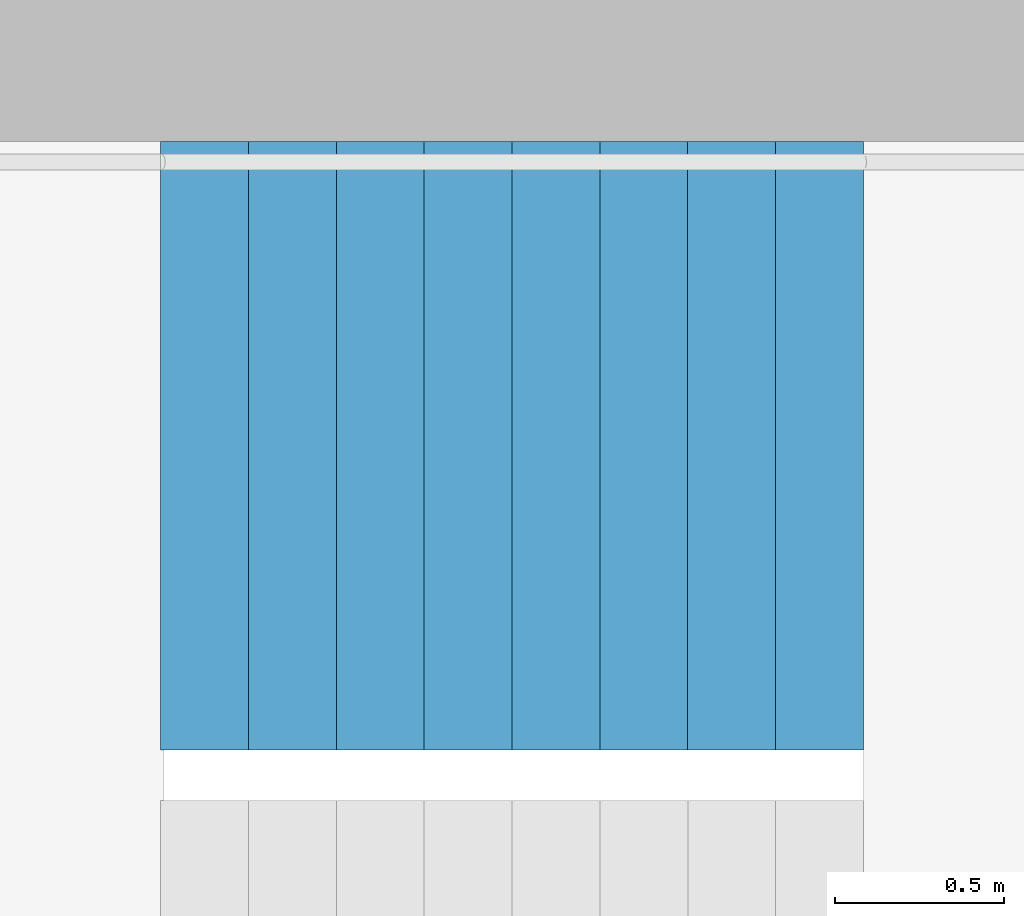
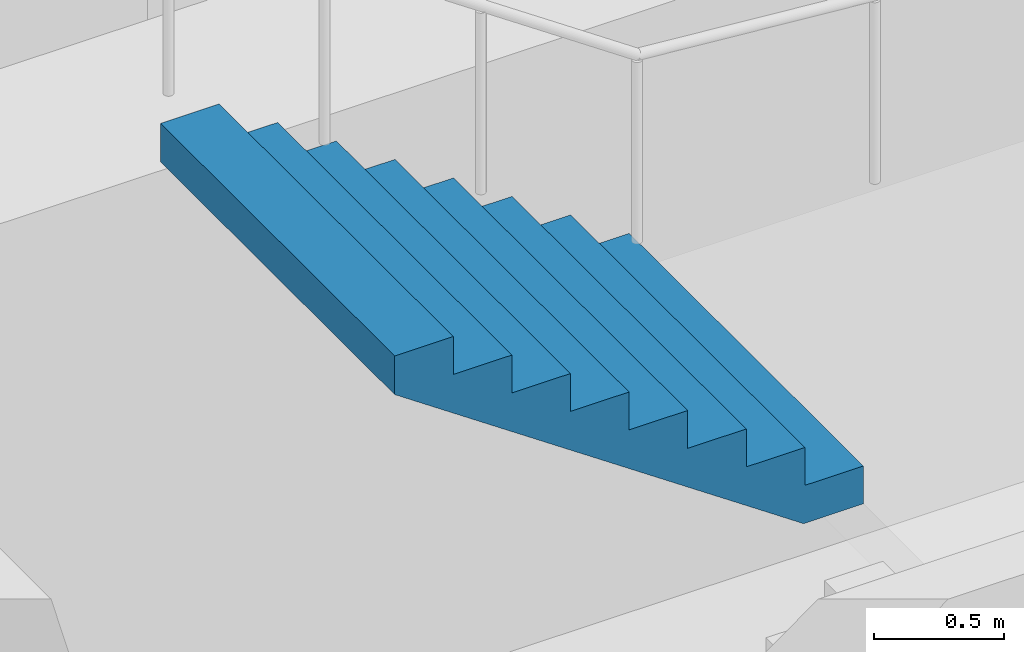
# One storey, part 22 of 33: 1 stair flight, 1 element without a shape of its own.
"""IFC4 building model written with IfcOpenShell, lengths in metres."""

from ifc_helpers import new_model, si_unit, direction, frame, origin, place, context, subcontext, project, spatial, triangles, material, type_object, element, aggregate, save


model = new_model("IFC4")

# Units and contexts
model_context = context("Model", 3, precision=1e-05, world=origin(), true_north=direction((0.0, 1.0)))
body_context = subcontext(model_context, "Body", "Model", "MODEL_VIEW")
ifc_project = project(units=[si_unit("LENGTHUNIT", "METRE"), si_unit("AREAUNIT", "SQUARE_METRE"), si_unit("VOLUMEUNIT", "CUBIC_METRE"), si_unit("PLANEANGLEUNIT", "RADIAN"), si_unit("MASSUNIT", "GRAM", prefix="KILO")], contexts=[model_context])

# Site, building, storey
site_placement = place(None, origin())
site = spatial("IfcSite", under=ifc_project, at=site_placement, CompositionType="ELEMENT")
building_placement = place(site_placement, origin())
building = spatial("IfcBuilding", under=site, at=building_placement, Name="Hakoniwa Tower and Hamabe Station Hall", CompositionType="ELEMENT")
storey_placement = place(building_placement, frame((0.0, 0.0, 81.800048828125)))
storey = spatial("IfcBuildingStorey", under=building, at=storey_placement, Name="L22", CompositionType="ELEMENT", Elevation=81.800048828125)

# Stair, stair flight
ifc_material_1 = material(Name="Concrete C40", Category="concrete")
stair_type = type_object("IfcStairType", Name="ESCAPE STAIR 1800", PredefinedType="HALF_TURN_STAIR", material=ifc_material_1)
stair_placement = place(storey_placement, origin())
stair = element("IfcStair", 1, at=stair_placement, inside=storey, type_object=stair_type, Name="Escape stair ST-1 L22", PredefinedType="HALF_TURN_STAIR")
ifc_material_2 = material(Name="Concrete C40", Category="concrete")
stair_flight_type = type_object("IfcStairFlightType", Name="STAIR FLIGHT 1800", PredefinedType="STRAIGHT", material=ifc_material_2)
stair_flight_placement = place(storey_placement, frame((-22.320068359375, 6.60009765625, 1.599853515625), z_axis=(0.0, 0.0, 1.0), x_axis=(-1.0, 0.0, 0.0)))
stair_flight = element("IfcStairFlight", 2, at=stair_flight_placement, type_object=stair_flight_type, Name="ST-1 flight 2", NumberOfRisers=9, NumberOfTreads=8, PredefinedType="STRAIGHT", RiserHeight=0.177777778, TreadLength=0.26, context=body_context, shape_type="Tessellation", body=[
    triangles([(0.0, 0.89990234375, 0.0), (0.260009765625, 0.89990234375, 0.0), (0.265625, 0.89990234375, 0.0), (0.52001953125, 0.89990234375, 0.174072265625), (0.780029296875, 0.89990234375, 0.351806640625), (1.0400390625, 0.89990234375, 0.529541015625), (1.300048828125, 0.89990234375, 0.707275390625), (1.56005859375, 0.89990234375, 0.885009765625), (1.820068359375, 0.89990234375, 1.062744140625), (2.080078125, 0.89990234375, 1.24072265625), (2.080078125, 0.89990234375, 1.422119140625), (1.820068359375, 0.89990234375, 1.422119140625), (1.820068359375, 0.89990234375, 1.244384765625), (1.56005859375, 0.89990234375, 1.244384765625), (1.56005859375, 0.89990234375, 1.066650390625), (1.300048828125, 0.89990234375, 1.066650390625), (1.300048828125, 0.89990234375, 0.888916015625), (1.0400390625, 0.89990234375, 0.888916015625), (1.0400390625, 0.89990234375, 0.711181640625), (0.780029296875, 0.89990234375, 0.711181640625), (0.780029296875, 0.89990234375, 0.533447265625), (0.52001953125, 0.89990234375, 0.533447265625), (0.52001953125, 0.89990234375, 0.35546875), (0.265625, 0.89990234375, 0.35546875), (0.260009765625, 0.89990234375, 0.35546875), (0.260009765625, 0.89990234375, 0.177734375), (0.0, 0.89990234375, 0.177734375), (0.0, 0.06005859375, 0.0), (0.260009765625, 0.06005859375, 0.0), (0.265625, 0.06005859375, 0.0), (0.52001953125, 0.06005859375, 0.174072265625), (0.780029296875, 0.06005859375, 0.351806640625), (1.0400390625, 0.06005859375, 0.529541015625), (1.300048828125, 0.06005859375, 0.707275390625), (1.56005859375, 0.06005859375, 0.885009765625), (1.820068359375, 0.06005859375, 1.062744140625), (2.080078125, 0.06005859375, 1.24072265625), (2.080078125, 0.06005859375, 1.422119140625), (1.820068359375, 0.06005859375, 1.422119140625), (1.820068359375, 0.06005859375, 1.244384765625), (1.56005859375, 0.06005859375, 1.244384765625), (1.56005859375, 0.06005859375, 1.066650390625), (1.300048828125, 0.06005859375, 1.066650390625), (1.300048828125, 0.06005859375, 0.888916015625), (1.0400390625, 0.06005859375, 0.888916015625), (1.0400390625, 0.06005859375, 0.711181640625), (0.780029296875, 0.06005859375, 0.711181640625), (0.780029296875, 0.06005859375, 0.533447265625), (0.52001953125, 0.06005859375, 0.533447265625), (0.52001953125, 0.06005859375, 0.35546875), (0.265625, 0.06005859375, 0.35546875), (0.260009765625, 0.06005859375, 0.35546875), (0.260009765625, 0.06005859375, 0.177734375), (0.0, 0.06005859375, 0.177734375), (0.0, 0.04296875, 0.0), (0.260009765625, 0.04296875, 0.0), (0.265625, 0.04296875, 0.0), (0.52001953125, 0.04296875, 0.174072265625), (0.780029296875, 0.04296875, 0.351806640625), (1.0400390625, 0.04296875, 0.529541015625), (1.300048828125, 0.04296875, 0.707275390625), (1.56005859375, 0.04296875, 0.885009765625), (1.820068359375, 0.04296875, 1.062744140625), (2.080078125, 0.04296875, 1.24072265625), (2.080078125, 0.04296875, 1.422119140625), (1.820068359375, 0.04296875, 1.422119140625), (1.820068359375, 0.04296875, 1.244384765625), (1.56005859375, 0.04296875, 1.244384765625), (1.56005859375, 0.04296875, 1.066650390625), (1.300048828125, 0.04296875, 1.066650390625), (1.300048828125, 0.04296875, 0.888916015625), (1.0400390625, 0.04296875, 0.888916015625), (1.0400390625, 0.04296875, 0.711181640625), (0.780029296875, 0.04296875, 0.711181640625), (0.780029296875, 0.04296875, 0.533447265625), (0.52001953125, 0.04296875, 0.533447265625), (0.52001953125, 0.04296875, 0.35546875), (0.265625, 0.04296875, 0.35546875), (0.260009765625, 0.04296875, 0.35546875), (0.260009765625, 0.04296875, 0.177734375), (0.0, 0.04296875, 0.177734375), (0.0, 0.025634765625, 0.0), (0.260009765625, 0.025634765625, 0.0), (0.265625, 0.025634765625, 0.0), (0.52001953125, 0.025634765625, 0.174072265625), (0.780029296875, 0.025634765625, 0.351806640625), (1.0400390625, 0.025634765625, 0.529541015625), (1.300048828125, 0.025634765625, 0.707275390625), (1.56005859375, 0.025634765625, 0.885009765625), (1.820068359375, 0.025634765625, 1.062744140625), (2.080078125, 0.025634765625, 1.24072265625), (2.080078125, 0.025634765625, 1.422119140625), (1.820068359375, 0.025634765625, 1.422119140625), (1.820068359375, 0.025634765625, 1.244384765625), (1.56005859375, 0.025634765625, 1.244384765625), (1.56005859375, 0.025634765625, 1.066650390625), (1.300048828125, 0.025634765625, 1.066650390625), (1.300048828125, 0.025634765625, 0.888916015625), (1.0400390625, 0.025634765625, 0.888916015625), (1.0400390625, 0.025634765625, 0.711181640625), (0.780029296875, 0.025634765625, 0.711181640625), (0.780029296875, 0.025634765625, 0.533447265625), (0.52001953125, 0.025634765625, 0.533447265625), (0.52001953125, 0.025634765625, 0.35546875), (0.265625, 0.025634765625, 0.35546875), (0.260009765625, 0.025634765625, 0.35546875), (0.260009765625, 0.025634765625, 0.177734375), (0.0, 0.025634765625, 0.177734375), (0.0, 0.008544921875, 0.0), (0.260009765625, 0.008544921875, 0.0), (0.265625, 0.008544921875, 0.0), (0.52001953125, 0.008544921875, 0.174072265625), (0.780029296875, 0.008544921875, 0.351806640625), (1.0400390625, 0.008544921875, 0.529541015625), (1.300048828125, 0.008544921875, 0.707275390625), (1.56005859375, 0.008544921875, 0.885009765625), (1.820068359375, 0.008544921875, 1.062744140625), (2.080078125, 0.008544921875, 1.24072265625), (2.080078125, 0.008544921875, 1.422119140625), (1.820068359375, 0.008544921875, 1.422119140625), (1.820068359375, 0.008544921875, 1.244384765625), (1.56005859375, 0.008544921875, 1.244384765625), (1.56005859375, 0.008544921875, 1.066650390625), (1.300048828125, 0.008544921875, 1.066650390625), (1.300048828125, 0.008544921875, 0.888916015625), (1.0400390625, 0.008544921875, 0.888916015625), (1.0400390625, 0.008544921875, 0.711181640625), (0.780029296875, 0.008544921875, 0.711181640625), (0.780029296875, 0.008544921875, 0.533447265625), (0.52001953125, 0.008544921875, 0.533447265625), (0.52001953125, 0.008544921875, 0.35546875), (0.265625, 0.008544921875, 0.35546875), (0.260009765625, 0.008544921875, 0.35546875), (0.260009765625, 0.008544921875, 0.177734375), (0.0, 0.008544921875, 0.177734375), (0.0, -0.008544921875, 0.0), (0.260009765625, -0.008544921875, 0.0), (0.265625, -0.008544921875, 0.0), (0.52001953125, -0.008544921875, 0.174072265625), (0.780029296875, -0.008544921875, 0.351806640625), (1.0400390625, -0.008544921875, 0.529541015625), (1.300048828125, -0.008544921875, 0.707275390625), (1.56005859375, -0.008544921875, 0.885009765625), (1.820068359375, -0.008544921875, 1.062744140625), (2.080078125, -0.008544921875, 1.24072265625), (2.080078125, -0.008544921875, 1.422119140625), (1.820068359375, -0.008544921875, 1.422119140625), (1.820068359375, -0.008544921875, 1.244384765625), (1.56005859375, -0.008544921875, 1.244384765625), (1.56005859375, -0.008544921875, 1.066650390625), (1.300048828125, -0.008544921875, 1.066650390625), (1.300048828125, -0.008544921875, 0.888916015625), (1.0400390625, -0.008544921875, 0.888916015625), (1.0400390625, -0.008544921875, 0.711181640625), (0.780029296875, -0.008544921875, 0.711181640625), (0.780029296875, -0.008544921875, 0.533447265625), (0.52001953125, -0.008544921875, 0.533447265625), (0.52001953125, -0.008544921875, 0.35546875), (0.265625, -0.008544921875, 0.35546875), (0.260009765625, -0.008544921875, 0.35546875), (0.260009765625, -0.008544921875, 0.177734375), (0.0, -0.008544921875, 0.177734375), (0.0, -0.025634765625, 0.0), (0.260009765625, -0.025634765625, 0.0), (0.265625, -0.025634765625, 0.0), (0.52001953125, -0.025634765625, 0.174072265625), (0.780029296875, -0.025634765625, 0.351806640625), (1.0400390625, -0.025634765625, 0.529541015625), (1.300048828125, -0.025634765625, 0.707275390625), (1.56005859375, -0.025634765625, 0.885009765625), (1.820068359375, -0.025634765625, 1.062744140625), (2.080078125, -0.025634765625, 1.24072265625), (2.080078125, -0.025634765625, 1.422119140625), (1.820068359375, -0.025634765625, 1.422119140625), (1.820068359375, -0.025634765625, 1.244384765625), (1.56005859375, -0.025634765625, 1.244384765625), (1.56005859375, -0.025634765625, 1.066650390625), (1.300048828125, -0.025634765625, 1.066650390625), (1.300048828125, -0.025634765625, 0.888916015625), (1.0400390625, -0.025634765625, 0.888916015625), (1.0400390625, -0.025634765625, 0.711181640625), (0.780029296875, -0.025634765625, 0.711181640625), (0.780029296875, -0.025634765625, 0.533447265625), (0.52001953125, -0.025634765625, 0.533447265625), (0.52001953125, -0.025634765625, 0.35546875), (0.265625, -0.025634765625, 0.35546875), (0.260009765625, -0.025634765625, 0.35546875), (0.260009765625, -0.025634765625, 0.177734375), (0.0, -0.025634765625, 0.177734375), (0.0, -0.04296875, 0.0), (0.260009765625, -0.04296875, 0.0), (0.265625, -0.04296875, 0.0), (0.52001953125, -0.04296875, 0.174072265625), (0.780029296875, -0.04296875, 0.351806640625), (1.0400390625, -0.04296875, 0.529541015625), (1.300048828125, -0.04296875, 0.707275390625), (1.56005859375, -0.04296875, 0.885009765625), (1.820068359375, -0.04296875, 1.062744140625), (2.080078125, -0.04296875, 1.24072265625), (2.080078125, -0.04296875, 1.422119140625), (1.820068359375, -0.04296875, 1.422119140625), (1.820068359375, -0.04296875, 1.244384765625), (1.56005859375, -0.04296875, 1.244384765625), (1.56005859375, -0.04296875, 1.066650390625), (1.300048828125, -0.04296875, 1.066650390625), (1.300048828125, -0.04296875, 0.888916015625), (1.0400390625, -0.04296875, 0.888916015625), (1.0400390625, -0.04296875, 0.711181640625), (0.780029296875, -0.04296875, 0.711181640625), (0.780029296875, -0.04296875, 0.533447265625), (0.52001953125, -0.04296875, 0.533447265625), (0.52001953125, -0.04296875, 0.35546875), (0.265625, -0.04296875, 0.35546875), (0.260009765625, -0.04296875, 0.35546875), (0.260009765625, -0.04296875, 0.177734375), (0.0, -0.04296875, 0.177734375), (0.0, -0.06005859375, 0.0), (0.260009765625, -0.06005859375, 0.0), (0.265625, -0.06005859375, 0.0), (0.52001953125, -0.06005859375, 0.174072265625), (0.780029296875, -0.06005859375, 0.351806640625), (1.0400390625, -0.06005859375, 0.529541015625), (1.300048828125, -0.06005859375, 0.707275390625), (1.56005859375, -0.06005859375, 0.885009765625), (1.820068359375, -0.06005859375, 1.062744140625), (2.080078125, -0.06005859375, 1.24072265625), (2.080078125, -0.06005859375, 1.422119140625), (1.820068359375, -0.06005859375, 1.422119140625), (1.820068359375, -0.06005859375, 1.244384765625), (1.56005859375, -0.06005859375, 1.244384765625), (1.56005859375, -0.06005859375, 1.066650390625), (1.300048828125, -0.06005859375, 1.066650390625), (1.300048828125, -0.06005859375, 0.888916015625), (1.0400390625, -0.06005859375, 0.888916015625), (1.0400390625, -0.06005859375, 0.711181640625), (0.780029296875, -0.06005859375, 0.711181640625), (0.780029296875, -0.06005859375, 0.533447265625), (0.52001953125, -0.06005859375, 0.533447265625), (0.52001953125, -0.06005859375, 0.35546875), (0.265625, -0.06005859375, 0.35546875), (0.260009765625, -0.06005859375, 0.35546875), (0.260009765625, -0.06005859375, 0.177734375), (0.0, -0.06005859375, 0.177734375), (0.0, -0.89990234375, 0.0), (0.260009765625, -0.89990234375, 0.0), (0.265625, -0.89990234375, 0.0), (0.52001953125, -0.89990234375, 0.174072265625), (0.780029296875, -0.89990234375, 0.351806640625), (1.0400390625, -0.89990234375, 0.529541015625), (1.300048828125, -0.89990234375, 0.707275390625), (1.56005859375, -0.89990234375, 0.885009765625), (1.820068359375, -0.89990234375, 1.062744140625), (2.080078125, -0.89990234375, 1.24072265625), (2.080078125, -0.89990234375, 1.422119140625), (1.820068359375, -0.89990234375, 1.422119140625), (1.820068359375, -0.89990234375, 1.244384765625), (1.56005859375, -0.89990234375, 1.244384765625), (1.56005859375, -0.89990234375, 1.066650390625), (1.300048828125, -0.89990234375, 1.066650390625), (1.300048828125, -0.89990234375, 0.888916015625), (1.0400390625, -0.89990234375, 0.888916015625), (1.0400390625, -0.89990234375, 0.711181640625), (0.780029296875, -0.89990234375, 0.711181640625), (0.780029296875, -0.89990234375, 0.533447265625), (0.52001953125, -0.89990234375, 0.533447265625), (0.52001953125, -0.89990234375, 0.35546875), (0.265625, -0.89990234375, 0.35546875), (0.260009765625, -0.89990234375, 0.35546875), (0.260009765625, -0.89990234375, 0.177734375), (0.0, -0.89990234375, 0.177734375)], [[2, 27, 26], [245, 269, 270], [2, 1, 27], [245, 270, 244], [3, 25, 24], [246, 267, 268], [3, 26, 25], [246, 268, 269], [3, 2, 26], [246, 269, 245], [4, 24, 23], [247, 266, 267], [4, 3, 24], [247, 267, 246], [5, 22, 21], [248, 264, 265], [5, 23, 22], [248, 265, 266], [5, 4, 23], [248, 266, 247], [6, 20, 19], [249, 262, 263], [6, 21, 20], [249, 263, 264], [6, 5, 21], [249, 264, 248], [7, 18, 17], [250, 260, 261], [7, 19, 18], [250, 261, 262], [7, 6, 19], [250, 262, 249], [8, 16, 15], [251, 258, 259], [8, 17, 16], [251, 259, 260], [8, 7, 17], [251, 260, 250], [9, 14, 13], [252, 256, 257], [9, 15, 14], [252, 257, 258], [9, 8, 15], [252, 258, 251], [10, 12, 11], [253, 254, 255], [10, 13, 12], [253, 255, 256], [10, 9, 13], [253, 256, 252], [1, 2, 29], [1, 29, 28], [28, 29, 56], [28, 56, 55], [55, 56, 83], [55, 83, 82], [82, 83, 110], [82, 110, 109], [109, 110, 137], [109, 137, 136], [136, 137, 164], [136, 164, 163], [163, 164, 191], [163, 191, 190], [190, 191, 218], [190, 218, 217], [217, 218, 245], [217, 245, 244], [2, 3, 30], [2, 30, 29], [29, 30, 57], [29, 57, 56], [56, 57, 84], [56, 84, 83], [83, 84, 111], [83, 111, 110], [110, 111, 138], [110, 138, 137], [137, 138, 165], [137, 165, 164], [164, 165, 192], [164, 192, 191], [191, 192, 219], [191, 219, 218], [218, 219, 246], [218, 246, 245], [3, 4, 31], [3, 31, 30], [30, 31, 58], [30, 58, 57], [57, 58, 85], [57, 85, 84], [84, 85, 112], [84, 112, 111], [111, 112, 139], [111, 139, 138], [138, 139, 166], [138, 166, 165], [165, 166, 193], [165, 193, 192], [192, 193, 220], [192, 220, 219], [219, 220, 247], [219, 247, 246], [4, 5, 32], [4, 32, 31], [31, 32, 59], [31, 59, 58], [58, 59, 86], [58, 86, 85], [85, 86, 113], [85, 113, 112], [112, 113, 140], [112, 140, 139], [139, 140, 167], [139, 167, 166], [166, 167, 194], [166, 194, 193], [193, 194, 221], [193, 221, 220], [220, 221, 248], [220, 248, 247], [5, 6, 33], [5, 33, 32], [32, 33, 60], [32, 60, 59], [59, 60, 87], [59, 87, 86], [86, 87, 114], [86, 114, 113], [113, 114, 141], [113, 141, 140], [140, 141, 168], [140, 168, 167], [167, 168, 195], [167, 195, 194], [194, 195, 222], [194, 222, 221], [221, 222, 249], [221, 249, 248], [6, 7, 34], [6, 34, 33], [33, 34, 61], [33, 61, 60], [60, 61, 88], [60, 88, 87], [87, 88, 115], [87, 115, 114], [114, 115, 142], [114, 142, 141], [141, 142, 169], [141, 169, 168], [168, 169, 196], [168, 196, 195], [195, 196, 223], [195, 223, 222], [222, 223, 250], [222, 250, 249], [7, 8, 35], [7, 35, 34], [34, 35, 62], [34, 62, 61], [61, 62, 89], [61, 89, 88], [88, 89, 116], [88, 116, 115], [115, 116, 143], [115, 143, 142], [142, 143, 170], [142, 170, 169], [169, 170, 197], [169, 197, 196], [196, 197, 224], [196, 224, 223], [223, 224, 251], [223, 251, 250], [8, 9, 36], [8, 36, 35], [35, 36, 63], [35, 63, 62], [62, 63, 90], [62, 90, 89], [89, 90, 117], [89, 117, 116], [116, 117, 144], [116, 144, 143], [143, 144, 171], [143, 171, 170], [170, 171, 198], [170, 198, 197], [197, 198, 225], [197, 225, 224], [224, 225, 252], [224, 252, 251], [9, 10, 37], [9, 37, 36], [36, 37, 64], [36, 64, 63], [63, 64, 91], [63, 91, 90], [90, 91, 118], [90, 118, 117], [117, 118, 145], [117, 145, 144], [144, 145, 172], [144, 172, 171], [171, 172, 199], [171, 199, 198], [198, 199, 226], [198, 226, 225], [225, 226, 253], [225, 253, 252], [10, 11, 38], [10, 38, 37], [37, 38, 65], [37, 65, 64], [64, 65, 92], [64, 92, 91], [91, 92, 119], [91, 119, 118], [118, 119, 146], [118, 146, 145], [145, 146, 173], [145, 173, 172], [172, 173, 200], [172, 200, 199], [199, 200, 227], [199, 227, 226], [226, 227, 254], [226, 254, 253], [11, 12, 39], [11, 39, 38], [38, 39, 66], [38, 66, 65], [65, 66, 93], [65, 93, 92], [92, 93, 120], [92, 120, 119], [119, 120, 147], [119, 147, 146], [146, 147, 174], [146, 174, 173], [173, 174, 201], [173, 201, 200], [200, 201, 228], [200, 228, 227], [227, 228, 255], [227, 255, 254], [12, 13, 40], [12, 40, 39], [39, 40, 67], [39, 67, 66], [66, 67, 94], [66, 94, 93], [93, 94, 121], [93, 121, 120], [120, 121, 148], [120, 148, 147], [147, 148, 175], [147, 175, 174], [174, 175, 202], [174, 202, 201], [201, 202, 229], [201, 229, 228], [228, 229, 256], [228, 256, 255], [13, 14, 41], [13, 41, 40], [40, 41, 68], [40, 68, 67], [67, 68, 95], [67, 95, 94], [94, 95, 122], [94, 122, 121], [121, 122, 149], [121, 149, 148], [148, 149, 176], [148, 176, 175], [175, 176, 203], [175, 203, 202], [202, 203, 230], [202, 230, 229], [229, 230, 257], [229, 257, 256], [14, 15, 42], [14, 42, 41], [41, 42, 69], [41, 69, 68], [68, 69, 96], [68, 96, 95], [95, 96, 123], [95, 123, 122], [122, 123, 150], [122, 150, 149], [149, 150, 177], [149, 177, 176], [176, 177, 204], [176, 204, 203], [203, 204, 231], [203, 231, 230], [230, 231, 258], [230, 258, 257], [15, 16, 43], [15, 43, 42], [42, 43, 70], [42, 70, 69], [69, 70, 97], [69, 97, 96], [96, 97, 124], [96, 124, 123], [123, 124, 151], [123, 151, 150], [150, 151, 178], [150, 178, 177], [177, 178, 205], [177, 205, 204], [204, 205, 232], [204, 232, 231], [231, 232, 259], [231, 259, 258], [16, 17, 44], [16, 44, 43], [43, 44, 71], [43, 71, 70], [70, 71, 98], [70, 98, 97], [97, 98, 125], [97, 125, 124], [124, 125, 152], [124, 152, 151], [151, 152, 179], [151, 179, 178], [178, 179, 206], [178, 206, 205], [205, 206, 233], [205, 233, 232], [232, 233, 260], [232, 260, 259], [17, 18, 45], [17, 45, 44], [44, 45, 72], [44, 72, 71], [71, 72, 99], [71, 99, 98], [98, 99, 126], [98, 126, 125], [125, 126, 153], [125, 153, 152], [152, 153, 180], [152, 180, 179], [179, 180, 207], [179, 207, 206], [206, 207, 234], [206, 234, 233], [233, 234, 261], [233, 261, 260], [18, 19, 46], [18, 46, 45], [45, 46, 73], [45, 73, 72], [72, 73, 100], [72, 100, 99], [99, 100, 127], [99, 127, 126], [126, 127, 154], [126, 154, 153], [153, 154, 181], [153, 181, 180], [180, 181, 208], [180, 208, 207], [207, 208, 235], [207, 235, 234], [234, 235, 262], [234, 262, 261], [19, 20, 47], [19, 47, 46], [46, 47, 74], [46, 74, 73], [73, 74, 101], [73, 101, 100], [100, 101, 128], [100, 128, 127], [127, 128, 155], [127, 155, 154], [154, 155, 182], [154, 182, 181], [181, 182, 209], [181, 209, 208], [208, 209, 236], [208, 236, 235], [235, 236, 263], [235, 263, 262], [20, 21, 48], [20, 48, 47], [47, 48, 75], [47, 75, 74], [74, 75, 102], [74, 102, 101], [101, 102, 129], [101, 129, 128], [128, 129, 156], [128, 156, 155], [155, 156, 183], [155, 183, 182], [182, 183, 210], [182, 210, 209], [209, 210, 237], [209, 237, 236], [236, 237, 264], [236, 264, 263], [21, 22, 49], [21, 49, 48], [48, 49, 76], [48, 76, 75], [75, 76, 103], [75, 103, 102], [102, 103, 130], [102, 130, 129], [129, 130, 157], [129, 157, 156], [156, 157, 184], [156, 184, 183], [183, 184, 211], [183, 211, 210], [210, 211, 238], [210, 238, 237], [237, 238, 265], [237, 265, 264], [22, 23, 50], [22, 50, 49], [49, 50, 77], [49, 77, 76], [76, 77, 104], [76, 104, 103], [103, 104, 131], [103, 131, 130], [130, 131, 158], [130, 158, 157], [157, 158, 185], [157, 185, 184], [184, 185, 212], [184, 212, 211], [211, 212, 239], [211, 239, 238], [238, 239, 266], [238, 266, 265], [23, 24, 51], [23, 51, 50], [50, 51, 78], [50, 78, 77], [77, 78, 105], [77, 105, 104], [104, 105, 132], [104, 132, 131], [131, 132, 159], [131, 159, 158], [158, 159, 186], [158, 186, 185], [185, 186, 213], [185, 213, 212], [212, 213, 240], [212, 240, 239], [239, 240, 267], [239, 267, 266], [24, 25, 52], [24, 52, 51], [51, 52, 79], [51, 79, 78], [78, 79, 106], [78, 106, 105], [105, 106, 133], [105, 133, 132], [132, 133, 160], [132, 160, 159], [159, 160, 187], [159, 187, 186], [186, 187, 214], [186, 214, 213], [213, 214, 241], [213, 241, 240], [240, 241, 268], [240, 268, 267], [25, 26, 53], [25, 53, 52], [52, 53, 80], [52, 80, 79], [79, 80, 107], [79, 107, 106], [106, 107, 134], [106, 134, 133], [133, 134, 161], [133, 161, 160], [160, 161, 188], [160, 188, 187], [187, 188, 215], [187, 215, 214], [214, 215, 242], [214, 242, 241], [241, 242, 269], [241, 269, 268], [26, 27, 54], [26, 54, 53], [53, 54, 81], [53, 81, 80], [80, 81, 108], [80, 108, 107], [107, 108, 135], [107, 135, 134], [134, 135, 162], [134, 162, 161], [161, 162, 189], [161, 189, 188], [188, 189, 216], [188, 216, 215], [215, 216, 243], [215, 243, 242], [242, 243, 270], [242, 270, 269], [27, 1, 28], [27, 28, 54], [54, 28, 55], [54, 55, 81], [81, 55, 82], [81, 82, 108], [108, 82, 109], [108, 109, 135], [135, 109, 136], [135, 136, 162], [162, 136, 163], [162, 163, 189], [189, 163, 190], [189, 190, 216], [216, 190, 217], [216, 217, 243], [243, 217, 244], [243, 244, 270]], closed=True),
])
aggregate(stair, [stair_flight])

save(model, "model.ifc")
